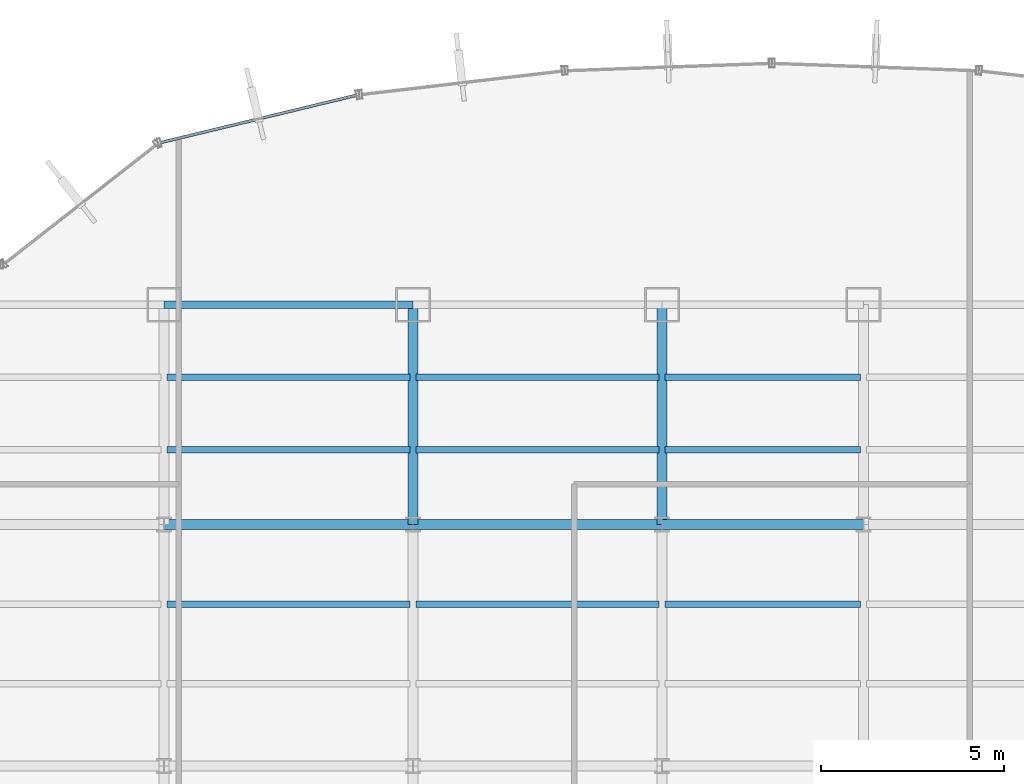
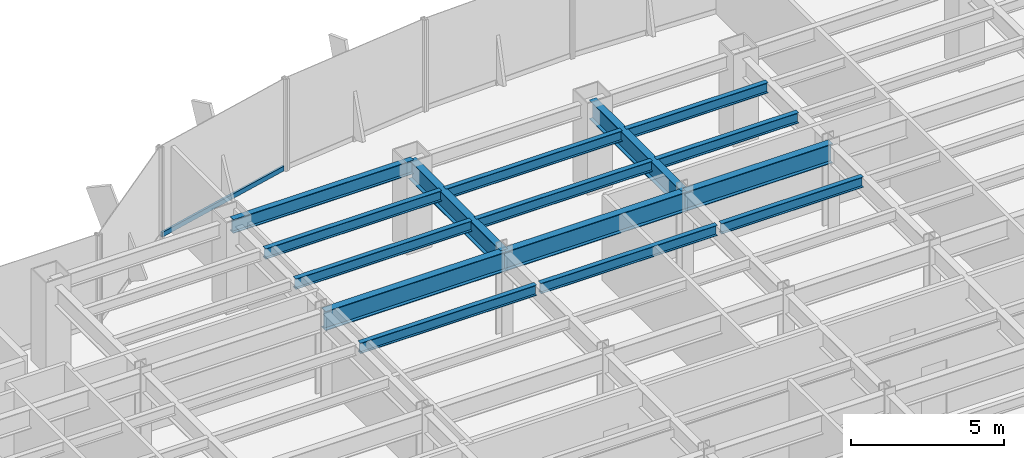
# One storey, part 11 of 22: 15 beams, 1 member, 1 element without a shape of its own.
"""IFC4 building model written with IfcOpenShell, lengths in metres."""

from ifc_helpers import new_model, si_unit, derived_unit, direction, frame, origin, origin_2d, place, context, subcontext, project, spatial, hollow_rectangle, i_section, extrude, source, transform, mapped, material, material_profile, profile_set, type_object, element, aggregate, save


model = new_model("IFC4")

# Units and contexts
model_context = context("Model", 3, precision=1e-05, world=origin(), true_north=direction((0.0, 1.0)))
body_context = subcontext(model_context, "Body", "Model", "MODEL_VIEW")
ifc_project = project(units=[si_unit("LENGTHUNIT", "METRE"), si_unit("AREAUNIT", "SQUARE_METRE"), si_unit("VOLUMEUNIT", "CUBIC_METRE"), si_unit("PLANEANGLEUNIT", "RADIAN"), si_unit("MASSUNIT", "GRAM", prefix="KILO"), derived_unit("THERMALTRANSMITTANCEUNIT", [(si_unit("POWERUNIT", "WATT"), 1), (si_unit("LENGTHUNIT", "METRE"), -2), (si_unit("THERMODYNAMICTEMPERATUREUNIT", "KELVIN"), -1)])], contexts=[model_context])

# Site, building, storey
site_placement = place(None, origin())
site = spatial("IfcSite", under=ifc_project, at=site_placement, CompositionType="ELEMENT")
building_placement = place(site_placement, origin())
building = spatial("IfcBuilding", under=site, at=building_placement, Name="Skarnbrae Concourse Arena and Tower", CompositionType="ELEMENT")
storey_placement = place(building_placement, frame((0.0, 0.0, 69.0)))
storey = spatial("IfcBuildingStorey", under=building, at=storey_placement, Name="L16", CompositionType="ELEMENT", Elevation=69.0)

# Beams
ifc_material_1 = material(Name="Steel CSA G40.21 350W", Category="steel")
ifc_material_profile_1 = material_profile(ifc_material_1, i_section(OverallWidth=0.26806640625, OverallDepth=0.77001953125, WebThickness=0.015625, FlangeThickness=0.025390625, at=origin_2d()), Name="W760X196")
ifc_profile_set_1 = profile_set([ifc_material_profile_1], Name="Steel CSA G40.21 350W")
beam_type_1 = type_object("IfcBeamType", Name="BM-GIRD-W760X196", PredefinedType="BEAM", material=ifc_profile_set_1)
shared_shape_1 = source(origin(), body_context, "Body", "SweptSolid", [
    extrude(i_section(OverallWidth=0.26806640625, OverallDepth=0.77001953125, WebThickness=0.015625, FlangeThickness=0.025390625, at=origin_2d()), origin(), (0.0, 0.0, 1.0), 6.800048828125),
])
for number, where, z_axis, x_axis, name in (
    (1, (14.39990234375, 34.39990234375, 3.014892578125), (1.0, 0.0, 0.0), (0.0, 1.0, 0.0), "L16 Primary E-W girder Y34.4-3"),
    (2, (21.199951171875, 34.39990234375, 3.014892578125), (1.0, 0.0, 0.0), (0.0, 1.0, 0.0), "L16 Primary E-W girder Y34.4-4"),
):
    element("IfcBeam", number, at=place(storey_placement, frame(where, z_axis=z_axis, x_axis=x_axis)), inside=storey, type_object=beam_type_1, Name=name, PredefinedType="BEAM", context=body_context, shape_type="MappedRepresentation", body=[
        mapped(shared_shape_1, transform((0.0, 0.0, 0.0))),
    ])
shared_shape_2 = source(origin(), body_context, "Body", "SweptSolid", [
    extrude(i_section(OverallWidth=0.26806640625, OverallDepth=0.77001953125, WebThickness=0.015625, FlangeThickness=0.025390625, at=origin_2d()), origin(), (0.0, 0.0, 1.0), 5.5),
])
beam_1_placement = place(storey_placement, frame((28.0, 34.39990234375, 3.014892578125), z_axis=(1.0, 0.0, 0.0), x_axis=(0.0, 1.0, 0.0)))
element("IfcBeam", 3, at=beam_1_placement, inside=storey, type_object=beam_type_1, Name="L16 Primary E-W girder Y34.4-5", PredefinedType="BEAM", context=body_context, shape_type="MappedRepresentation", body=[
    mapped(shared_shape_2, transform((0.0, 0.0, 0.0))),
])
shared_shape_3 = source(origin(), body_context, "Body", "SweptSolid", [
    extrude(i_section(OverallWidth=0.26806640625, OverallDepth=0.77001953125, WebThickness=0.015625, FlangeThickness=0.025390625, at=origin_2d()), origin(), (0.0, 0.0, 1.0), 6.0),
])
for number, where, z_axis, x_axis, name in (
    (4, (21.199951171875, 34.39990234375, 3.014892578125), (0.0, 1.0, 0.0), (-1.0, 0.0, 0.0), "L16 Primary N-S girder X21.2-4"),
    (5, (28.0, 34.39990234375, 3.014892578125), (0.0, 1.0, 0.0), (-1.0, 0.0, 0.0), "L16 Primary N-S girder X28.0-4"),
):
    element("IfcBeam", number, at=place(storey_placement, frame(where, z_axis=z_axis, x_axis=x_axis)), inside=storey, type_object=beam_type_1, Name=name, PredefinedType="BEAM", context=body_context, shape_type="MappedRepresentation", body=[
        mapped(shared_shape_3, transform((0.0, 0.0, 0.0))),
    ])
ifc_material_profile_2 = material_profile(ifc_material_1, i_section(OverallWidth=0.214111328125, OverallDepth=0.549072265625, WebThickness=0.0146484375, FlangeThickness=0.023681640625, at=origin_2d()), Name="W530X138")
ifc_profile_set_2 = profile_set([ifc_material_profile_2], Name="Steel CSA G40.21 350W")
beam_type_2 = type_object("IfcBeamType", Name="BM-SPAN-W530X138", PredefinedType="SPANDREL", material=ifc_profile_set_2)
shared_shape_4 = source(origin(), body_context, "Body", "SweptSolid", [
    extrude(i_section(OverallWidth=0.214111328125, OverallDepth=0.549072265625, WebThickness=0.0146484375, FlangeThickness=0.023681640625, at=origin_2d()), origin(), (0.0, 0.0, 1.0), 6.800048828125),
])
beam_2_placement = place(storey_placement, frame((14.39990234375, 40.39990234375, 3.12548828125), z_axis=(1.0, 0.0, 0.0), x_axis=(0.0, 1.0, 0.0)))
element("IfcBeam", 6, at=beam_2_placement, inside=storey, type_object=beam_type_2, Name="L16 Perimeter spandrel Y40.4-2", PredefinedType="SPANDREL", context=body_context, shape_type="MappedRepresentation", body=[
    mapped(shared_shape_4, transform((0.0, 0.0, 0.0))),
])
ifc_material_profile_3 = material_profile(ifc_material_1, i_section(OverallWidth=0.180908203125, OverallDepth=0.4169921875, WebThickness=0.010986328125, FlangeThickness=0.018310546875, at=origin_2d()), Name="W410X85")
ifc_profile_set_3 = profile_set([ifc_material_profile_3], Name="Steel CSA G40.21 350W")
beam_type_3 = type_object("IfcBeamType", Name="BM-JOIST-W410X85", PredefinedType="JOIST", material=ifc_profile_set_3)
shared_shape_5 = source(origin(), body_context, "Body", "SweptSolid", [
    extrude(i_section(OverallWidth=0.180908203125, OverallDepth=0.4169921875, WebThickness=0.010986328125, FlangeThickness=0.018310546875, at=origin_2d()), origin(), (0.0, 0.0, 1.0), 6.64013671875),
])
for number, where, z_axis, x_axis, name in (
    (7, (14.47998046875, 32.221923828125, 3.19140625), (1.0, 0.0, 0.0), (0.0, 1.0, 0.0), "L16 Secondary floor joist 3.2.3"),
    (8, (14.47998046875, 36.43994140625, 3.19140625), (1.0, 0.0, 0.0), (0.0, 1.0, 0.0), "L16 Secondary floor joist 4.1.2"),
    (9, (14.47998046875, 38.419921875, 3.19140625), (1.0, 0.0, 0.0), (0.0, 1.0, 0.0), "L16 Secondary floor joist 4.2.2"),
):
    element("IfcBeam", number, at=place(storey_placement, frame(where, z_axis=z_axis, x_axis=x_axis)), inside=storey, type_object=beam_type_3, Name=name, PredefinedType="JOIST", context=body_context, shape_type="MappedRepresentation", body=[
        mapped(shared_shape_5, transform((0.0, 0.0, 0.0))),
    ])
shared_shape_6 = source(origin(), body_context, "Body", "SweptSolid", [
    extrude(i_section(OverallWidth=0.180908203125, OverallDepth=0.4169921875, WebThickness=0.010986328125, FlangeThickness=0.018310546875, at=origin_2d()), origin(), (0.0, 0.0, 1.0), 6.639892578125),
])
for number, where, z_axis, x_axis, name in (
    (10, (21.280029296875, 32.221923828125, 3.19140625), (1.0, 0.0, 0.0), (0.0, 1.0, 0.0), "L16 Secondary floor joist 3.2.4"),
    (11, (21.280029296875, 36.43994140625, 3.19140625), (1.0, 0.0, 0.0), (0.0, 1.0, 0.0), "L16 Secondary floor joist 4.1.3"),
    (12, (21.280029296875, 38.419921875, 3.19140625), (1.0, 0.0, 0.0), (0.0, 1.0, 0.0), "L16 Secondary floor joist 4.2.3"),
):
    element("IfcBeam", number, at=place(storey_placement, frame(where, z_axis=z_axis, x_axis=x_axis)), inside=storey, type_object=beam_type_3, Name=name, PredefinedType="JOIST", context=body_context, shape_type="MappedRepresentation", body=[
        mapped(shared_shape_6, transform((0.0, 0.0, 0.0))),
    ])
shared_shape_7 = source(origin(), body_context, "Body", "SweptSolid", [
    extrude(i_section(OverallWidth=0.180908203125, OverallDepth=0.4169921875, WebThickness=0.010986328125, FlangeThickness=0.018310546875, at=origin_2d()), origin(), (0.0, 0.0, 1.0), 5.33984375),
])
for number, where, z_axis, x_axis, name in (
    (13, (28.080078125, 32.221923828125, 3.19140625), (1.0, 0.0, 0.0), (0.0, 1.0, 0.0), "L16 Secondary floor joist 3.2.5"),
    (14, (28.080078125, 36.43994140625, 3.19140625), (1.0, 0.0, 0.0), (0.0, 1.0, 0.0), "L16 Secondary floor joist 4.1.4"),
    (15, (28.080078125, 38.419921875, 3.19140625), (1.0, 0.0, 0.0), (0.0, 1.0, 0.0), "L16 Secondary floor joist 4.2.4"),
):
    element("IfcBeam", number, at=place(storey_placement, frame(where, z_axis=z_axis, x_axis=x_axis)), inside=storey, type_object=beam_type_3, Name=name, PredefinedType="JOIST", context=body_context, shape_type="MappedRepresentation", body=[
        mapped(shared_shape_7, transform((0.0, 0.0, 0.0))),
    ])

# Curtain wall, member
ifc_material_2 = material(Name="Bronze anodised aluminium 6063-T6", Category="aluminium")
curtain_wall_type = type_object("IfcCurtainWallType", Name="CW-SYS-02-LOWZONE", PredefinedType="USERDEFINED", material=ifc_material_2)
curtain_wall_placement = place(storey_placement, origin())
curtain_wall = element("IfcCurtainWall", 16, at=curtain_wall_placement, inside=storey, type_object=curtain_wall_type, Name="L16 Unitised curtain wall CW-L16-E14", ObjectType="UNITISED CURTAIN WALL", PredefinedType="USERDEFINED")
ifc_material_profile_4 = material_profile(ifc_material_2, hollow_rectangle(XDim=0.080078125, YDim=0.18994140625, WallThickness=0.0048828125, at=origin_2d()), Name="ALU-TRAN-80X190")
ifc_profile_set_4 = profile_set([ifc_material_profile_4], Name="Bronze anodised aluminium 6063-T6")
member_type = type_object("IfcMemberType", Name="CWT-CW-02", PredefinedType="USERDEFINED", material=ifc_profile_set_4)
shared_shape_8 = source(origin(), body_context, "Body", "SweptSolid", [
    extrude(hollow_rectangle(XDim=0.080078125, YDim=0.18994140625, WallThickness=0.0048828125, at=origin_2d()), origin(), (0.0, 0.0, 1.0), 5.4921875),
])
member_placement = place(storey_placement, frame((19.64990234375, 46.12158203125, 0.094970703125), z_axis=(-0.971980728004, -0.235060554728, 0.0), x_axis=(0.235060554728, -0.971980728004, 0.0)))
member = element("IfcMember", 17, at=member_placement, type_object=member_type, Name="CW-L16-E14 Transom 1", ObjectType="TRANSOM", PredefinedType="USERDEFINED", context=body_context, shape_type="MappedRepresentation", body=[
    mapped(shared_shape_8, transform((0.0, 0.0, 0.0))),
])
aggregate(curtain_wall, [member])

save(model, "model.ifc")
